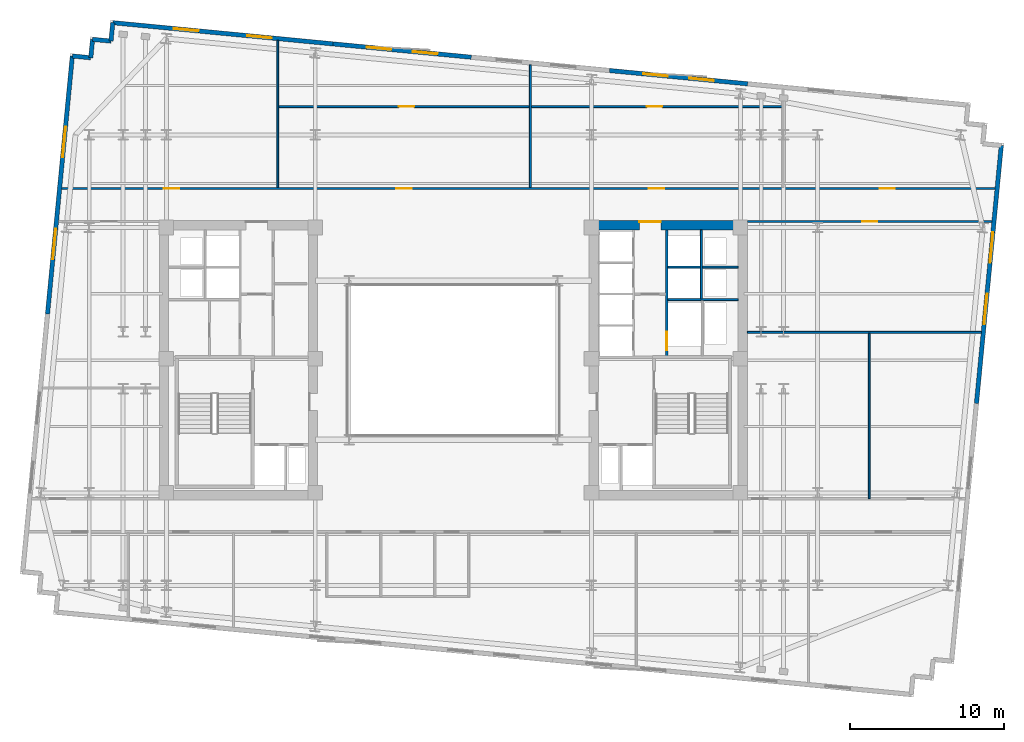
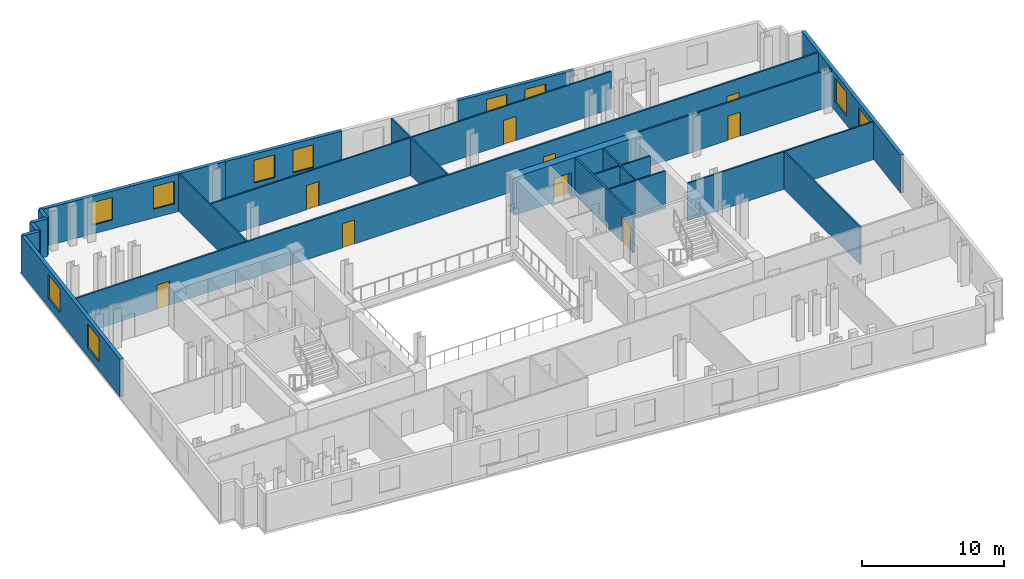
# One storey, part 6 of 9: 22 walls, 10 windows, 9 doors, 19 openings.
"""IFC4 building model written with IfcOpenShell, lengths in metres."""

from ifc_helpers import new_model, si_unit, direction, frame, frame_2d, origin, place, context, subcontext, project, spatial, rectangle, extrude, material, layer, layer_set, type_object, element, fill, save


model = new_model("IFC4")

# Units and contexts
model_context = context("Model", 3, precision=1e-05, world=origin(), true_north=direction((0.0, 1.0)))
body_context = subcontext(model_context, "Body", "Model", "MODEL_VIEW")
ifc_project = project(units=[si_unit("LENGTHUNIT", "METRE"), si_unit("AREAUNIT", "SQUARE_METRE"), si_unit("VOLUMEUNIT", "CUBIC_METRE"), si_unit("PLANEANGLEUNIT", "RADIAN"), si_unit("MASSUNIT", "GRAM", prefix="KILO")], contexts=[model_context])

# Site, building, storey
site_placement = place(None, origin())
site = spatial("IfcSite", under=ifc_project, at=site_placement, CompositionType="ELEMENT")
building_placement = place(site_placement, origin())
building = spatial("IfcBuilding", under=site, at=building_placement, Name="Velakula Bourse", CompositionType="ELEMENT")
storey_placement = place(building_placement, frame((0.0, 0.0, 184.550048828125)))
storey = spatial("IfcBuildingStorey", under=building, at=storey_placement, Name="L50", CompositionType="ELEMENT", Elevation=184.550048828125)

# Wall, opening, door
ifc_material_1 = material(Name="Concrete M70 (fck 70 MPa)", Category="concrete")
ifc_layer_1 = layer(ifc_material_1, 0.60009765625, Name="Concrete M70 (fck 70 MPa)", Category="concrete")
ifc_layer_set_1 = layer_set([ifc_layer_1], Name="Concrete M70 (fck 70 MPa)")
wall_type_1 = type_object("IfcWallType", Name="WL-CORE-600", PredefinedType="SHEAR", material=ifc_layer_set_1)
wall_1_placement = place(storey_placement, frame((8.800048828125, 8.75, 0.0), z_axis=(0.0, 0.0, 1.0), x_axis=(1.0, 0.0, 0.0)))
wall_1 = element("IfcWall", 1, at=wall_1_placement, inside=storey, type_object=wall_type_1, Name="L50 Core E Shear Wall N", PredefinedType="SHEAR", context=body_context, shape_type="SweptSolid", body=[
    extrude(rectangle(XDim=10.25, YDim=0.60009765625, at=frame_2d((5.125, 0.0))), origin(), (0.0, 0.0, 1.0), 3.27001953125),
])
opening_1_placement = place(wall_1_placement, frame((3.25, 0.0, 0.0)))
opening_1 = element("IfcOpeningElement", 2, at=opening_1_placement, cuts=wall_1, Name="Opening D-LLE", PredefinedType="OPENING", context=body_context, shape_type="SweptSolid", body=[
    extrude(rectangle(XDim=1.39990234375, YDim=2.050048828125, at=frame_2d((0.699951171875, 1.02490234375))), frame((0.0, 0.31005859375, 0.0), z_axis=(0.0, -1.0, 0.0), x_axis=(1.0, 0.0, 0.0)), (0.0, 0.0, 1.0), 0.6201171875),
])
ifc_material_2 = material(Name="Fire-rated hardwood flush architectural door", Category="wood")
door_type_1 = type_object("IfcDoorType", Name="DR-DBL-FD60-1400", OperationType="DOUBLE_DOOR_SINGLE_SWING", PredefinedType="DOOR", material=ifc_material_2)
door_1_placement = place(opening_1_placement, origin())
door_1 = element("IfcDoor", 3, at=door_1_placement, inside=storey, type_object=door_type_1, Name="L50 Core E Lift Lobby Corridor Double Door", OperationType="DOUBLE_DOOR_SINGLE_SWING", OverallHeight=2.050048828125, OverallWidth=1.39990234375, PredefinedType="DOOR", context=body_context, shape_type="SweptSolid", body=[
    extrude(rectangle(XDim=1.39990234375, YDim=2.050048828125, at=frame_2d((0.699951171875, 1.02490234375))), frame((0.0, 0.2451171875, 0.0), z_axis=(0.0, -1.0, 0.0), x_axis=(1.0, 0.0, 0.0)), (0.0, 0.0, 1.0), 0.050048828125),
])
fill(opening_1, door_1)

# Wall, openings, windows
ifc_material_3 = material(Name="Red kilned clay facing brick masonry", Category="masonry")
ifc_layer_2 = layer(ifc_material_3, 0.280029296875, Name="Red kilned clay facing brick masonry", Category="masonry")
ifc_layer_set_2 = layer_set([ifc_layer_2], Name="Red kilned clay facing brick masonry")
wall_type_2 = type_object("IfcWallType", Name="WL-EXT-BRK-280", PredefinedType="STANDARD", material=ifc_layer_set_2)
wall_2_placement = place(storey_placement, frame((-22.072509765625, 21.8701171875, 0.0), z_axis=(0.0, 0.0, 1.0), x_axis=(0.995395606285, -0.095851901334, 0.0)))
wall_2 = element("IfcWall", 4, at=wall_2_placement, inside=storey, type_object=wall_type_2, Name="L50 N Brick Spandrel Wall B1", PredefinedType="STANDARD", context=body_context, shape_type="SweptSolid", body=[
    extrude(rectangle(XDim=14.33984375, YDim=0.280029296875, at=frame_2d((7.169921875, 0.0))), origin(), (0.0, 0.0, 1.0), 3.25),
])
opening_2_placement = place(wall_2_placement, frame((3.97998046875, 0.0, 0.760009765625)))
opening_2 = element("IfcOpeningElement", 5, at=opening_2_placement, cuts=wall_2, Name="Opening W-02", PredefinedType="OPENING", context=body_context, shape_type="SweptSolid", body=[
    extrude(rectangle(XDim=1.60009765625, YDim=1.949951171875, at=frame_2d((0.800048828125, 0.97509765625))), frame((0.0, 0.14990234375, 0.0), z_axis=(0.0, -1.0, 0.0), x_axis=(1.0, 0.0, 0.0)), (0.0, 0.0, 1.0), 0.300048828125),
])
opening_3_placement = place(wall_2_placement, frame((8.760009765625, 0.0, 0.760009765625)))
opening_3 = element("IfcOpeningElement", 6, at=opening_3_placement, cuts=wall_2, Name="Opening W-02", PredefinedType="OPENING", context=body_context, shape_type="SweptSolid", body=[
    extrude(rectangle(XDim=1.60009765625, YDim=1.949951171875, at=frame_2d((0.800048828125, 0.97509765625))), frame((0.0, 0.14990234375, 0.0), z_axis=(0.0, -1.0, 0.0), x_axis=(1.0, 0.0, 0.0)), (0.0, 0.0, 1.0), 0.300048828125),
])
ifc_material_4 = material(Name="Double-glazed solar-control Low-E glass", Category="glass")
window_type_1 = type_object("IfcWindowType", Name="WIN-TWR-1600x2100", PartitioningType="SINGLE_PANEL", PredefinedType="WINDOW", material=ifc_material_4)
window_1_placement = place(opening_2_placement, origin())
window_1 = element("IfcWindow", 7, at=window_1_placement, inside=storey, type_object=window_type_1, Name="L50 Deep-Set Recessed Window 1", OverallHeight=1.949951171875, OverallWidth=1.60009765625, PartitioningType="SINGLE_PANEL", PredefinedType="WINDOW", context=body_context, shape_type="SweptSolid", body=[
    extrude(rectangle(XDim=1.60009765625, YDim=1.949951171875, at=frame_2d((0.800048828125, 0.97509765625))), frame((0.0, 0.030029296875, 0.0), z_axis=(0.0, -1.0, 0.0), x_axis=(1.0, 0.0, 0.0)), (0.0, 0.0, 1.0), 0.06005859375),
])
fill(opening_2, window_1)
window_2_placement = place(opening_3_placement, origin())
window_2 = element("IfcWindow", 8, at=window_2_placement, inside=storey, type_object=window_type_1, Name="L50 Deep-Set Recessed Window 2", OverallHeight=1.949951171875, OverallWidth=1.60009765625, PartitioningType="SINGLE_PANEL", PredefinedType="WINDOW", context=body_context, shape_type="SweptSolid", body=[
    extrude(rectangle(XDim=1.60009765625, YDim=1.949951171875, at=frame_2d((0.800048828125, 0.97509765625))), frame((0.0, 0.030029296875, 0.0), z_axis=(0.0, -1.0, 0.0), x_axis=(1.0, 0.0, 0.0)), (0.0, 0.0, 1.0), 0.06005859375),
])
fill(opening_3, window_2)

wall_3_placement = place(storey_placement, frame((-7.798583984375, 20.49560546875, 0.0), z_axis=(0.0, 0.0, 1.0), x_axis=(0.995396794462, -0.09583956164, 0.0)))
wall_3 = element("IfcWall", 9, at=wall_3_placement, inside=storey, type_object=wall_type_2, Name="L50 N Brick Spandrel Wall B2", PredefinedType="STANDARD", context=body_context, shape_type="SweptSolid", body=[
    extrude(rectangle(XDim=9.0, YDim=0.280029296875, at=frame_2d((4.5, 0.0))), origin(), (0.0, 0.0, 1.0), 3.25),
])
opening_4_placement = place(wall_3_placement, frame((2.199951171875, 0.0, 0.760009765625)))
opening_4 = element("IfcOpeningElement", 10, at=opening_4_placement, cuts=wall_3, Name="Opening W-02", PredefinedType="OPENING", context=body_context, shape_type="SweptSolid", body=[
    extrude(rectangle(XDim=1.60009765625, YDim=1.949951171875, at=frame_2d((0.800048828125, 0.97509765625))), frame((0.0, 0.14990234375, 0.0), z_axis=(0.0, -1.0, 0.0), x_axis=(1.0, 0.0, 0.0)), (0.0, 0.0, 1.0), 0.300048828125),
])
opening_5_placement = place(wall_3_placement, frame((5.199951171875, 0.0, 0.760009765625)))
opening_5 = element("IfcOpeningElement", 11, at=opening_5_placement, cuts=wall_3, Name="Opening W-02", PredefinedType="OPENING", context=body_context, shape_type="SweptSolid", body=[
    extrude(rectangle(XDim=1.60009765625, YDim=1.949951171875, at=frame_2d((0.800048828125, 0.97509765625))), frame((0.0, 0.14990234375, 0.0), z_axis=(0.0, -1.0, 0.0), x_axis=(1.0, 0.0, 0.0)), (0.0, 0.0, 1.0), 0.300048828125),
])
window_3_placement = place(opening_4_placement, origin())
window_3 = element("IfcWindow", 12, at=window_3_placement, inside=storey, type_object=window_type_1, Name="L50 Deep-Set Recessed Window 1", OverallHeight=1.949951171875, OverallWidth=1.60009765625, PartitioningType="SINGLE_PANEL", PredefinedType="WINDOW", context=body_context, shape_type="SweptSolid", body=[
    extrude(rectangle(XDim=1.60009765625, YDim=1.949951171875, at=frame_2d((0.800048828125, 0.97509765625))), frame((0.0, 0.030029296875, 0.0), z_axis=(0.0, -1.0, 0.0), x_axis=(1.0, 0.0, 0.0)), (0.0, 0.0, 1.0), 0.06005859375),
])
fill(opening_4, window_3)
window_4_placement = place(opening_5_placement, origin())
window_4 = element("IfcWindow", 13, at=window_4_placement, inside=storey, type_object=window_type_1, Name="L50 Deep-Set Recessed Window 2", OverallHeight=1.949951171875, OverallWidth=1.60009765625, PartitioningType="SINGLE_PANEL", PredefinedType="WINDOW", context=body_context, shape_type="SweptSolid", body=[
    extrude(rectangle(XDim=1.60009765625, YDim=1.949951171875, at=frame_2d((0.800048828125, 0.97509765625))), frame((0.0, 0.030029296875, 0.0), z_axis=(0.0, -1.0, 0.0), x_axis=(1.0, 0.0, 0.0)), (0.0, 0.0, 1.0), 0.06005859375),
])
fill(opening_5, window_4)

wall_4_placement = place(storey_placement, frame((10.11865234375, 18.770263671875, 0.0), z_axis=(0.0, 0.0, 1.0), x_axis=(0.995396794462, -0.09583956164, 0.0)))
wall_4 = element("IfcWall", 14, at=wall_4_placement, inside=storey, type_object=wall_type_2, Name="L50 N Brick Spandrel Wall B4", PredefinedType="STANDARD", context=body_context, shape_type="SweptSolid", body=[
    extrude(rectangle(XDim=9.0, YDim=0.280029296875, at=frame_2d((4.5, 0.0))), origin(), (0.0, 0.0, 1.0), 3.25),
])
opening_6_placement = place(wall_4_placement, frame((2.199951171875, 0.0, 0.760009765625)))
opening_6 = element("IfcOpeningElement", 15, at=opening_6_placement, cuts=wall_4, Name="Opening W-02", PredefinedType="OPENING", context=body_context, shape_type="SweptSolid", body=[
    extrude(rectangle(XDim=1.60009765625, YDim=1.949951171875, at=frame_2d((0.800048828125, 0.97509765625))), frame((0.0, 0.14990234375, 0.0), z_axis=(0.0, -1.0, 0.0), x_axis=(1.0, 0.0, 0.0)), (0.0, 0.0, 1.0), 0.300048828125),
])
opening_7_placement = place(wall_4_placement, frame((5.199951171875, 0.0, 0.760009765625)))
opening_7 = element("IfcOpeningElement", 16, at=opening_7_placement, cuts=wall_4, Name="Opening W-02", PredefinedType="OPENING", context=body_context, shape_type="SweptSolid", body=[
    extrude(rectangle(XDim=1.60009765625, YDim=1.949951171875, at=frame_2d((0.800048828125, 0.97509765625))), frame((0.0, 0.14990234375, 0.0), z_axis=(0.0, -1.0, 0.0), x_axis=(1.0, 0.0, 0.0)), (0.0, 0.0, 1.0), 0.300048828125),
])
window_5_placement = place(opening_6_placement, origin())
window_5 = element("IfcWindow", 17, at=window_5_placement, inside=storey, type_object=window_type_1, Name="L50 Deep-Set Recessed Window 1", OverallHeight=1.949951171875, OverallWidth=1.60009765625, PartitioningType="SINGLE_PANEL", PredefinedType="WINDOW", context=body_context, shape_type="SweptSolid", body=[
    extrude(rectangle(XDim=1.60009765625, YDim=1.949951171875, at=frame_2d((0.800048828125, 0.97509765625))), frame((0.0, 0.030029296875, 0.0), z_axis=(0.0, -1.0, 0.0), x_axis=(1.0, 0.0, 0.0)), (0.0, 0.0, 1.0), 0.06005859375),
])
fill(opening_6, window_5)
window_6_placement = place(opening_7_placement, origin())
window_6 = element("IfcWindow", 18, at=window_6_placement, inside=storey, type_object=window_type_1, Name="L50 Deep-Set Recessed Window 2", OverallHeight=1.949951171875, OverallWidth=1.60009765625, PartitioningType="SINGLE_PANEL", PredefinedType="WINDOW", context=body_context, shape_type="SweptSolid", body=[
    extrude(rectangle(XDim=1.60009765625, YDim=1.949951171875, at=frame_2d((0.800048828125, 0.97509765625))), frame((0.0, 0.030029296875, 0.0), z_axis=(0.0, -1.0, 0.0), x_axis=(1.0, 0.0, 0.0)), (0.0, 0.0, 1.0), 0.06005859375),
])
fill(opening_7, window_6)

wall_5_placement = place(storey_placement, frame((-26.30078125, 2.998291015625, 0.0), z_axis=(0.0, 0.0, 1.0), x_axis=(0.095837640115, 0.99539697947, 0.0)))
wall_5 = element("IfcWall", 19, at=wall_5_placement, inside=storey, type_object=wall_type_2, Name="L50 W Brick End Wall W2", PredefinedType="STANDARD", context=body_context, shape_type="SweptSolid", body=[
    extrude(rectangle(XDim=16.790283203125, YDim=0.280029296875, at=frame_2d((8.39501953125, 0.0))), origin(), (0.0, 0.0, 1.0), 3.25),
])
opening_8_placement = place(wall_5_placement, frame((3.546630859375, 0.0, 0.760009765625)))
opening_8 = element("IfcOpeningElement", 20, at=opening_8_placement, cuts=wall_5, Name="Opening W-05", PredefinedType="OPENING", context=body_context, shape_type="SweptSolid", body=[
    extrude(rectangle(XDim=2.0, YDim=2.050048828125, at=frame_2d((1.0, 1.02490234375))), frame((0.0, 0.14990234375, 0.0), z_axis=(0.0, -1.0, 0.0), x_axis=(1.0, 0.0, 0.0)), (0.0, 0.0, 1.0), 0.300048828125),
])
opening_9_placement = place(wall_5_placement, frame((10.193359375, 0.0, 0.760009765625)))
opening_9 = element("IfcOpeningElement", 21, at=opening_9_placement, cuts=wall_5, Name="Opening W-05", PredefinedType="OPENING", context=body_context, shape_type="SweptSolid", body=[
    extrude(rectangle(XDim=2.0, YDim=2.050048828125, at=frame_2d((1.0, 1.02490234375))), frame((0.0, 0.14990234375, 0.0), z_axis=(0.0, -1.0, 0.0), x_axis=(1.0, 0.0, 0.0)), (0.0, 0.0, 1.0), 0.300048828125),
])
window_type_2 = type_object("IfcWindowType", Name="WIN-TWR-2000x2200", PartitioningType="DOUBLE_PANEL_VERTICAL", PredefinedType="WINDOW", material=ifc_material_4)
window_7_placement = place(opening_8_placement, origin())
window_7 = element("IfcWindow", 22, at=window_7_placement, inside=storey, type_object=window_type_2, Name="L50 Deep-Set Recessed Window 1", OverallHeight=2.050048828125, OverallWidth=2.0, PartitioningType="DOUBLE_PANEL_VERTICAL", PredefinedType="WINDOW", context=body_context, shape_type="SweptSolid", body=[
    extrude(rectangle(XDim=2.0, YDim=2.050048828125, at=frame_2d((1.0, 1.02490234375))), frame((0.0, 0.030029296875, 0.0), z_axis=(0.0, -1.0, 0.0), x_axis=(1.0, 0.0, 0.0)), (0.0, 0.0, 1.0), 0.06005859375),
])
fill(opening_8, window_7)
window_8_placement = place(opening_9_placement, origin())
window_8 = element("IfcWindow", 23, at=window_8_placement, inside=storey, type_object=window_type_2, Name="L50 Deep-Set Recessed Window 2", OverallHeight=2.050048828125, OverallWidth=2.0, PartitioningType="DOUBLE_PANEL_VERTICAL", PredefinedType="WINDOW", context=body_context, shape_type="SweptSolid", body=[
    extrude(rectangle(XDim=2.0, YDim=2.050048828125, at=frame_2d((1.0, 1.02490234375))), frame((0.0, 0.030029296875, 0.0), z_axis=(0.0, -1.0, 0.0), x_axis=(1.0, 0.0, 0.0)), (0.0, 0.0, 1.0), 0.06005859375),
])
fill(opening_9, window_8)

wall_6_placement = place(storey_placement, frame((35.510009765625, 13.914306640625, 0.0), z_axis=(0.0, 0.0, 1.0), x_axis=(-0.095839027265, -0.995396845913, 0.0)))
wall_6 = element("IfcWall", 24, at=wall_6_placement, inside=storey, type_object=wall_type_2, Name="L50 E Brick End Wall W2", PredefinedType="STANDARD", context=body_context, shape_type="SweptSolid", body=[
    extrude(rectangle(XDim=16.7900390625, YDim=0.280029296875, at=frame_2d((8.39501953125, 0.0))), origin(), (0.0, 0.0, 1.0), 3.25),
])
opening_10_placement = place(wall_6_placement, frame((5.646728515625, 0.0, 0.760009765625)))
opening_10 = element("IfcOpeningElement", 25, at=opening_10_placement, cuts=wall_6, Name="Opening W-05", PredefinedType="OPENING", context=body_context, shape_type="SweptSolid", body=[
    extrude(rectangle(XDim=2.0, YDim=2.050048828125, at=frame_2d((1.0, 1.02490234375))), frame((0.0, 0.14990234375, 0.0), z_axis=(0.0, -1.0, 0.0), x_axis=(1.0, 0.0, 0.0)), (0.0, 0.0, 1.0), 0.300048828125),
])
opening_11_placement = place(wall_6_placement, frame((9.643310546875, 0.0, 0.760009765625)))
opening_11 = element("IfcOpeningElement", 26, at=opening_11_placement, cuts=wall_6, Name="Opening W-05", PredefinedType="OPENING", context=body_context, shape_type="SweptSolid", body=[
    extrude(rectangle(XDim=2.0, YDim=2.050048828125, at=frame_2d((1.0, 1.02490234375))), frame((0.0, 0.14990234375, 0.0), z_axis=(0.0, -1.0, 0.0), x_axis=(1.0, 0.0, 0.0)), (0.0, 0.0, 1.0), 0.300048828125),
])
window_9_placement = place(opening_10_placement, origin())
window_9 = element("IfcWindow", 27, at=window_9_placement, inside=storey, type_object=window_type_2, Name="L50 Deep-Set Recessed Window 1", OverallHeight=2.050048828125, OverallWidth=2.0, PartitioningType="DOUBLE_PANEL_VERTICAL", PredefinedType="WINDOW", context=body_context, shape_type="SweptSolid", body=[
    extrude(rectangle(XDim=2.0, YDim=2.050048828125, at=frame_2d((1.0, 1.02490234375))), frame((0.0, 0.030029296875, 0.0), z_axis=(0.0, -1.0, 0.0), x_axis=(1.0, 0.0, 0.0)), (0.0, 0.0, 1.0), 0.06005859375),
])
fill(opening_10, window_9)
window_10_placement = place(opening_11_placement, origin())
window_10 = element("IfcWindow", 28, at=window_10_placement, inside=storey, type_object=window_type_2, Name="L50 Deep-Set Recessed Window 2", OverallHeight=2.050048828125, OverallWidth=2.0, PartitioningType="DOUBLE_PANEL_VERTICAL", PredefinedType="WINDOW", context=body_context, shape_type="SweptSolid", body=[
    extrude(rectangle(XDim=2.0, YDim=2.050048828125, at=frame_2d((1.0, 1.02490234375))), frame((0.0, 0.030029296875, 0.0), z_axis=(0.0, -1.0, 0.0), x_axis=(1.0, 0.0, 0.0)), (0.0, 0.0, 1.0), 0.06005859375),
])
fill(opening_11, window_10)

# Walls
for number, where, z_axis, x_axis, name in (
    (29, (-22.072509765625, 21.8701171875, 0.0), (0.0, 0.0, 1.0), (-0.095817067274, -0.995398960025, 0.0), "L50 Serrated Corner Brick Wall NW-1"),
    (30, (-22.1875, 20.675537109375, 0.0), (0.0, 0.0, 1.0), (-0.995398960025, 0.095817067274, 0.0), "L50 Serrated Corner Brick Wall NW-2"),
    (31, (-23.382080078125, 20.79052734375, 0.0), (0.0, 0.0, 1.0), (-0.095817067274, -0.995398960025, 0.0), "L50 Serrated Corner Brick Wall NW-3"),
    (32, (-23.4970703125, 19.595947265625, 0.0), (0.0, 0.0, 1.0), (-0.995379537303, 0.096018626938, 0.0), "L50 Serrated Corner Brick Wall NW-4"),
):
    element("IfcWall", number, at=place(storey_placement, frame(where, z_axis=z_axis, x_axis=x_axis)), inside=storey, type_object=wall_type_2, Name=name, PredefinedType="STANDARD", context=body_context, shape_type="SweptSolid", body=[
        extrude(rectangle(XDim=1.2001953125, YDim=0.280029296875, at=frame_2d((0.60009765625, 0.0))), origin(), (0.0, 0.0, 1.0), 3.25),
    ])
ifc_material_5 = material(Name="Fire-rated double-layer gypsum drywall partition", Category="gypsum")
ifc_layer_3 = layer(ifc_material_5, 0.1201171875, Name="Fire-rated double-layer gypsum drywall partition", Category="gypsum")
ifc_layer_set_3 = layer_set([ifc_layer_3], Name="Fire-rated double-layer gypsum drywall partition")
wall_type_3 = type_object("IfcWallType", Name="WL-PART-120", PredefinedType="STANDARD", material=ifc_layer_set_3)
wall_7_placement = place(storey_placement, frame((13.89990234375, 3.919921875, 0.0), z_axis=(0.0, 0.0, 1.0), x_axis=(1.0, 0.0, 0.0)))
element("IfcWall", 33, at=wall_7_placement, inside=storey, type_object=wall_type_3, Name="L50 Interior Partition WL-CRE-L50-HI-S", PredefinedType="STANDARD", context=body_context, shape_type="SweptSolid", body=[
    extrude(rectangle(XDim=4.550048828125, YDim=0.1201171875, at=frame_2d((2.27490234375, 0.0))), origin(), (0.0, 0.0, 1.0), 3.25),
])
wall_8_placement = place(storey_placement, frame((16.14990234375, 6.030029296875, 0.0), z_axis=(0.0, 0.0, 1.0), x_axis=(1.0, 0.0, 0.0)))
element("IfcWall", 34, at=wall_8_placement, inside=storey, type_object=wall_type_3, Name="L50 Interior Partition WL-CRE-L50-RIS-MID", PredefinedType="STANDARD", context=body_context, shape_type="SweptSolid", body=[
    extrude(rectangle(XDim=2.300048828125, YDim=0.1201171875, at=frame_2d((1.14990234375, 0.0))), origin(), (0.0, 0.0, 1.0), 3.25),
])
wall_9_placement = place(storey_placement, frame((16.074951171875, 3.97998046875, 0.0), z_axis=(0.0, 0.0, 1.0), x_axis=(0.0, 1.0, 0.0)))
element("IfcWall", 35, at=wall_9_placement, inside=storey, type_object=wall_type_3, Name="L50 Interior Partition WL-CRE-L50-RIS-F", PredefinedType="STANDARD", context=body_context, shape_type="SweptSolid", body=[
    extrude(rectangle(XDim=4.469970703125, YDim=0.1201171875, at=frame_2d((2.23486328125, 0.0))), origin(), (0.0, 0.0, 1.0), 3.25),
])
wall_10_placement = place(storey_placement, frame((13.89990234375, 6.030029296875, 0.0), z_axis=(0.0, 0.0, 1.0), x_axis=(1.0, 0.0, 0.0)))
element("IfcWall", 36, at=wall_10_placement, inside=storey, type_object=wall_type_3, Name="L50 Interior Partition WL-CRE-L50-HI-DIV", PredefinedType="STANDARD", context=body_context, shape_type="SweptSolid", body=[
    extrude(rectangle(XDim=2.10009765625, YDim=0.1201171875, at=frame_2d((1.050048828125, 0.0))), origin(), (0.0, 0.0, 1.0), 3.25),
])
wall_11_placement = place(storey_placement, frame((-11.383056640625, 11.18994140625, 0.0), z_axis=(0.0, 0.0, 1.0), x_axis=(0.0, 1.0, 0.0)))
element("IfcWall", 37, at=wall_11_placement, inside=storey, type_object=wall_type_3, Name="L50 Interior Partition WL-INT-L50-N-D1", PredefinedType="STANDARD", context=body_context, shape_type="SweptSolid", body=[
    extrude(rectangle(XDim=9.5302734375, YDim=0.1201171875, at=frame_2d((4.76513671875, 0.0))), origin(), (0.0, 0.0, 1.0), 3.25),
])
wall_12_placement = place(storey_placement, frame((4.990966796875, 11.18994140625, 0.0), z_axis=(0.0, 0.0, 1.0), x_axis=(0.0, 1.0, 0.0)))
element("IfcWall", 38, at=wall_12_placement, inside=storey, type_object=wall_type_3, Name="L50 Interior Partition WL-INT-L50-N-D2", PredefinedType="STANDARD", context=body_context, shape_type="SweptSolid", body=[
    extrude(rectangle(XDim=7.95361328125, YDim=0.1201171875, at=frame_2d((3.976806640625, 0.0))), origin(), (0.0, 0.0, 1.0), 3.25),
])

# Wall, openings, doors
wall_13_placement = place(storey_placement, frame((-11.322998046875, 16.431884765625, 0.0), z_axis=(0.0, 0.0, 1.0), x_axis=(1.0, 0.0, 0.0)))
wall_13 = element("IfcWall", 39, at=wall_13_placement, inside=storey, type_object=wall_type_3, Name="L50 Interior Partition WL-INT-L50-N-MID", PredefinedType="STANDARD", context=body_context, shape_type="SweptSolid", body=[
    extrude(rectangle(XDim=32.6279296875, YDim=0.1201171875, at=frame_2d((16.31396484375, 0.0))), origin(), (0.0, 0.0, 1.0), 3.25),
])
opening_12_placement = place(wall_13_placement, frame((7.7841796875, 0.0, 0.0)))
opening_12 = element("IfcOpeningElement", 40, at=opening_12_placement, cuts=wall_13, Name="Opening D-OF1", PredefinedType="OPENING", context=body_context, shape_type="SweptSolid", body=[
    extrude(rectangle(XDim=1.0, YDim=2.080078125, at=frame_2d((0.5, 1.0400390625))), frame((0.0, 0.070068359375, 0.0), z_axis=(0.0, -1.0, 0.0), x_axis=(1.0, 0.0, 0.0)), (0.0, 0.0, 1.0), 0.14013671875),
])
opening_13_placement = place(wall_13_placement, frame((23.843994140625, 0.0, 0.0)))
opening_13 = element("IfcOpeningElement", 41, at=opening_13_placement, cuts=wall_13, Name="Opening D-OF1", PredefinedType="OPENING", context=body_context, shape_type="SweptSolid", body=[
    extrude(rectangle(XDim=1.0, YDim=2.080078125, at=frame_2d((0.5, 1.0400390625))), frame((0.0, 0.070068359375, 0.0), z_axis=(0.0, -1.0, 0.0), x_axis=(1.0, 0.0, 0.0)), (0.0, 0.0, 1.0), 0.14013671875),
])
door_type_2 = type_object("IfcDoorType", Name="DR-OFF-1000", OperationType="NOTDEFINED", PredefinedType="DOOR", material=ifc_material_2)
door_2_placement = place(opening_12_placement, origin())
door_2 = element("IfcDoor", 42, at=door_2_placement, inside=storey, type_object=door_type_2, Name="L50 Risk Review Boardroom Door", OperationType="SINGLE_SWING_LEFT", OverallHeight=2.080078125, OverallWidth=1.0, PredefinedType="DOOR", context=body_context, shape_type="SweptSolid", body=[
    extrude(rectangle(XDim=1.0, YDim=2.080078125, at=frame_2d((0.5, 1.0400390625))), frame((0.0, 0.02490234375, 0.0), z_axis=(0.0, -1.0, 0.0), x_axis=(1.0, 0.0, 0.0)), (0.0, 0.0, 1.0), 0.050048828125),
])
fill(opening_12, door_2)
door_3_placement = place(opening_13_placement, origin())
door_3 = element("IfcDoor", 43, at=door_3_placement, inside=storey, type_object=door_type_2, Name="L50 Catering Servery Pantry Door", OperationType="SINGLE_SWING_LEFT", OverallHeight=2.080078125, OverallWidth=1.0, PredefinedType="DOOR", context=body_context, shape_type="SweptSolid", body=[
    extrude(rectangle(XDim=1.0, YDim=2.080078125, at=frame_2d((0.5, 1.0400390625))), frame((0.0, 0.02490234375, 0.0), z_axis=(0.0, -1.0, 0.0), x_axis=(1.0, 0.0, 0.0)), (0.0, 0.0, 1.0), 0.050048828125),
])
fill(opening_13, door_3)

# Walls
wall_14_placement = place(storey_placement, frame((19.050048828125, 1.800048828125, 0.0), z_axis=(0.0, 0.0, 1.0), x_axis=(1.0, 0.0, 0.0)))
element("IfcWall", 44, at=wall_14_placement, inside=storey, type_object=wall_type_3, Name="L50 Interior Partition WL-INT-L50-E-H", PredefinedType="STANDARD", context=body_context, shape_type="SweptSolid", body=[
    extrude(rectangle(XDim=15.1728515625, YDim=0.1201171875, at=frame_2d((7.58642578125, 0.0))), origin(), (0.0, 0.0, 1.0), 3.25),
])
wall_15_placement = place(storey_placement, frame((26.951904296875, -8.97998046875, 0.0), z_axis=(0.0, 0.0, 1.0), x_axis=(0.0, 1.0, 0.0)))
element("IfcWall", 45, at=wall_15_placement, inside=storey, type_object=wall_type_3, Name="L50 Interior Partition WL-INT-L50-E-VS", PredefinedType="STANDARD", context=body_context, shape_type="SweptSolid", body=[
    extrude(rectangle(XDim=10.719970703125, YDim=0.1201171875, at=frame_2d((5.35986328125, 0.0))), origin(), (0.0, 0.0, 1.0), 3.25),
])

# Wall, openings, doors
ifc_layer_4 = layer(ifc_material_5, 0.139892578125, Name="Fire-rated double-layer gypsum drywall partition", Category="gypsum")
ifc_layer_set_4 = layer_set([ifc_layer_4], Name="Fire-rated double-layer gypsum drywall partition")
wall_type_4 = type_object("IfcWallType", Name="WL-PART-140", PredefinedType="STANDARD", material=ifc_layer_set_4)
wall_16_placement = place(storey_placement, frame((-25.398193359375, 11.1201171875, 0.0), z_axis=(0.0, 0.0, 1.0), x_axis=(1.0, 0.0, 0.0)))
wall_16 = element("IfcWall", 46, at=wall_16_placement, inside=storey, type_object=wall_type_4, Name="L50 Interior Partition WL-INT-L50-N-CORR", PredefinedType="STANDARD", context=body_context, shape_type="SweptSolid", body=[
    extrude(rectangle(XDim=60.5185546875, YDim=0.139892578125, at=frame_2d((30.25927734375, 0.0))), origin(), (0.0, 0.0, 1.0), 3.25),
])
opening_14_placement = place(wall_16_placement, frame((6.633544921875, 0.0, 0.0)))
opening_14 = element("IfcOpeningElement", 47, at=opening_14_placement, cuts=wall_16, Name="Opening D-OF1", PredefinedType="OPENING", context=body_context, shape_type="SweptSolid", body=[
    extrude(rectangle(XDim=1.0, YDim=2.080078125, at=frame_2d((0.5, 1.0400390625))), frame((0.0, 0.079833984375, 0.0), z_axis=(0.0, -1.0, 0.0), x_axis=(1.0, 0.0, 0.0)), (0.0, 0.0, 1.0), 0.159912109375),
])
opening_15_placement = place(wall_16_placement, frame((21.7021484375, 0.0, 0.0)))
opening_15 = element("IfcOpeningElement", 48, at=opening_15_placement, cuts=wall_16, Name="Opening D-OF1", PredefinedType="OPENING", context=body_context, shape_type="SweptSolid", body=[
    extrude(rectangle(XDim=1.0, YDim=2.080078125, at=frame_2d((0.5, 1.0400390625))), frame((0.0, 0.079833984375, 0.0), z_axis=(0.0, -1.0, 0.0), x_axis=(1.0, 0.0, 0.0)), (0.0, 0.0, 1.0), 0.159912109375),
])
opening_16_placement = place(wall_16_placement, frame((38.076171875, 0.0, 0.0)))
opening_16 = element("IfcOpeningElement", 49, at=opening_16_placement, cuts=wall_16, Name="Opening D-OF1", PredefinedType="OPENING", context=body_context, shape_type="SweptSolid", body=[
    extrude(rectangle(XDim=1.0, YDim=2.080078125, at=frame_2d((0.5, 1.0400390625))), frame((0.0, 0.079833984375, 0.0), z_axis=(0.0, -1.0, 0.0), x_axis=(1.0, 0.0, 0.0)), (0.0, 0.0, 1.0), 0.159912109375),
])
opening_17_placement = place(wall_16_placement, frame((53.014892578125, 0.0, 0.0)))
opening_17 = element("IfcOpeningElement", 50, at=opening_17_placement, cuts=wall_16, Name="Opening D-OF1", PredefinedType="OPENING", context=body_context, shape_type="SweptSolid", body=[
    extrude(rectangle(XDim=1.0, YDim=2.080078125, at=frame_2d((0.5, 1.0400390625))), frame((0.0, 0.079833984375, 0.0), z_axis=(0.0, -1.0, 0.0), x_axis=(1.0, 0.0, 0.0)), (0.0, 0.0, 1.0), 0.159912109375),
])
door_4_placement = place(opening_14_placement, origin())
door_4 = element("IfcDoor", 51, at=door_4_placement, inside=storey, type_object=door_type_2, Name="L50 FX Spot Dealing Workspace Door", OperationType="SINGLE_SWING_LEFT", OverallHeight=2.080078125, OverallWidth=1.0, PredefinedType="DOOR", context=body_context, shape_type="SweptSolid", body=[
    extrude(rectangle(XDim=1.0, YDim=2.080078125, at=frame_2d((0.5, 1.0400390625))), frame((0.0, 0.02490234375, 0.0), z_axis=(0.0, -1.0, 0.0), x_axis=(1.0, 0.0, 0.0)), (0.0, 0.0, 1.0), 0.050048828125),
])
fill(opening_14, door_4)
door_5_placement = place(opening_15_placement, origin())
door_5 = element("IfcDoor", 52, at=door_5_placement, inside=storey, type_object=door_type_2, Name="L50 Risk Review Boardroom Door", OperationType="SINGLE_SWING_RIGHT", OverallHeight=2.080078125, OverallWidth=1.0, PredefinedType="DOOR", context=body_context, shape_type="SweptSolid", body=[
    extrude(rectangle(XDim=1.0, YDim=2.080078125, at=frame_2d((0.5, 1.0400390625))), frame((0.0, 0.02490234375, 0.0), z_axis=(0.0, -1.0, 0.0), x_axis=(1.0, 0.0, 0.0)), (0.0, 0.0, 1.0), 0.050048828125),
])
fill(opening_15, door_5)
door_6_placement = place(opening_16_placement, origin())
door_6 = element("IfcDoor", 53, at=door_6_placement, inside=storey, type_object=door_type_2, Name="L50 Listing Committee Chamber Door", OperationType="SINGLE_SWING_RIGHT", OverallHeight=2.080078125, OverallWidth=1.0, PredefinedType="DOOR", context=body_context, shape_type="SweptSolid", body=[
    extrude(rectangle(XDim=1.0, YDim=2.080078125, at=frame_2d((0.5, 1.0400390625))), frame((0.0, 0.02490234375, 0.0), z_axis=(0.0, -1.0, 0.0), x_axis=(1.0, 0.0, 0.0)), (0.0, 0.0, 1.0), 0.050048828125),
])
fill(opening_16, door_6)
door_7_placement = place(opening_17_placement, origin())
door_7 = element("IfcDoor", 54, at=door_7_placement, inside=storey, type_object=door_type_2, Name="L50 Economic Reference Library Door", OperationType="SINGLE_SWING_RIGHT", OverallHeight=2.080078125, OverallWidth=1.0, PredefinedType="DOOR", context=body_context, shape_type="SweptSolid", body=[
    extrude(rectangle(XDim=1.0, YDim=2.080078125, at=frame_2d((0.5, 1.0400390625))), frame((0.0, 0.02490234375, 0.0), z_axis=(0.0, -1.0, 0.0), x_axis=(1.0, 0.0, 0.0)), (0.0, 0.0, 1.0), 0.050048828125),
])
fill(opening_17, door_7)

# Wall, opening, door
wall_17_placement = place(storey_placement, frame((19.050048828125, 8.97998046875, 0.0), z_axis=(0.0, 0.0, 1.0), x_axis=(1.0, 0.0, 0.0)))
wall_17 = element("IfcWall", 55, at=wall_17_placement, inside=storey, type_object=wall_type_4, Name="L50 Interior Partition WL-INT-L50-E-NC", PredefinedType="STANDARD", context=body_context, shape_type="SweptSolid", body=[
    extrude(rectangle(XDim=15.8642578125, YDim=0.139892578125, at=frame_2d((7.93212890625, 0.0))), origin(), (0.0, 0.0, 1.0), 3.25),
])
opening_18_placement = place(wall_17_placement, frame((7.43212890625, 0.0, 0.0)))
opening_18 = element("IfcOpeningElement", 56, at=opening_18_placement, cuts=wall_17, Name="Opening D-OF1", PredefinedType="OPENING", context=body_context, shape_type="SweptSolid", body=[
    extrude(rectangle(XDim=1.0, YDim=2.080078125, at=frame_2d((0.5, 1.0400390625))), frame((0.0, 0.079833984375, 0.0), z_axis=(0.0, -1.0, 0.0), x_axis=(1.0, 0.0, 0.0)), (0.0, 0.0, 1.0), 0.159912109375),
])
door_8_placement = place(opening_18_placement, origin())
door_8 = element("IfcDoor", 57, at=door_8_placement, inside=storey, type_object=door_type_2, Name="L50 Primary Dealer Office Door", OperationType="SINGLE_SWING_RIGHT", OverallHeight=2.080078125, OverallWidth=1.0, PredefinedType="DOOR", context=body_context, shape_type="SweptSolid", body=[
    extrude(rectangle(XDim=1.0, YDim=2.080078125, at=frame_2d((0.5, 1.0400390625))), frame((0.0, 0.02490234375, 0.0), z_axis=(0.0, -1.0, 0.0), x_axis=(1.0, 0.0, 0.0)), (0.0, 0.0, 1.0), 0.050048828125),
])
fill(opening_18, door_8)

ifc_material_6 = material(Name="Autoclaved aerated concrete blockwork masonry", Category="masonry")
ifc_layer_5 = layer(ifc_material_6, 0.14990234375, Name="Autoclaved aerated concrete blockwork masonry", Category="masonry")
ifc_layer_set_5 = layer_set([ifc_layer_5], Name="Autoclaved aerated concrete blockwork masonry")
wall_type_5 = type_object("IfcWallType", Name="WL-SHAFT-150", PredefinedType="STANDARD", material=ifc_layer_set_5)
wall_18_placement = place(storey_placement, frame((13.824951171875, 0.27001953125, 0.0), z_axis=(0.0, 0.0, 1.0), x_axis=(0.0, 1.0, 0.0)))
wall_18 = element("IfcWall", 58, at=wall_18_placement, inside=storey, type_object=wall_type_5, Name="L50 Interior Partition WL-CRE-L50-OUT-F", PredefinedType="STANDARD", context=body_context, shape_type="SweptSolid", body=[
    extrude(rectangle(XDim=8.179931640625, YDim=0.14990234375, at=frame_2d((4.08984375, 0.0))), origin(), (0.0, 0.0, 1.0), 3.25),
])
opening_19_placement = place(wall_18_placement, frame((0.3798828125, 0.0, 0.0)))
opening_19 = element("IfcOpeningElement", 59, at=opening_19_placement, cuts=wall_18, Name="Opening LD-SVL1", PredefinedType="OPENING", context=body_context, shape_type="SweptSolid", body=[
    extrude(rectangle(XDim=1.199951171875, YDim=2.10009765625, at=frame_2d((0.60009765625, 1.050048828125))), frame((0.0, 0.0849609375, 0.0), z_axis=(0.0, -1.0, 0.0), x_axis=(1.0, 0.0, 0.0)), (0.0, 0.0, 1.0), 0.169921875),
])
ifc_material_7 = material(Name="Brushed grade 316 stainless steel", Category="steel")
door_type_3 = type_object("IfcDoorType", Name="DR-SLIDE-LD-1200", OperationType="DOUBLE_DOOR_SLIDING", PredefinedType="DOOR", material=ifc_material_7)
door_9_placement = place(opening_19_placement, origin())
door_9 = element("IfcDoor", 60, at=door_9_placement, inside=storey, type_object=door_type_3, Name="L50 Service Lift SVL-1 Sliding Landing Door", OperationType="DOUBLE_DOOR_SLIDING", OverallHeight=2.10009765625, OverallWidth=1.199951171875, PredefinedType="DOOR", context=body_context, shape_type="SweptSolid", body=[
    extrude(rectangle(XDim=1.199951171875, YDim=2.10009765625, at=frame_2d((0.60009765625, 1.050048828125))), frame((0.0, 0.02490234375, 0.0), z_axis=(0.0, -1.0, 0.0), x_axis=(1.0, 0.0, 0.0)), (0.0, 0.0, 1.0), 0.050048828125),
])
fill(opening_19, door_9)

save(model, "model.ifc")
